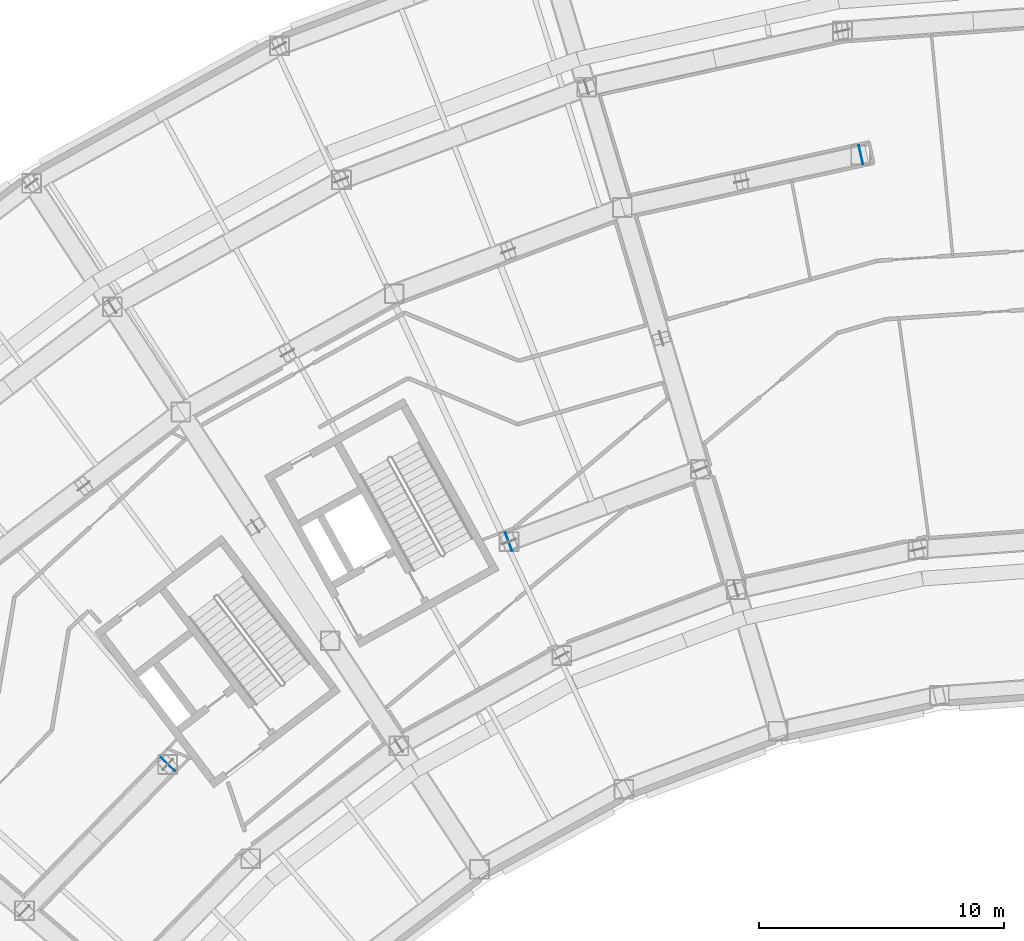
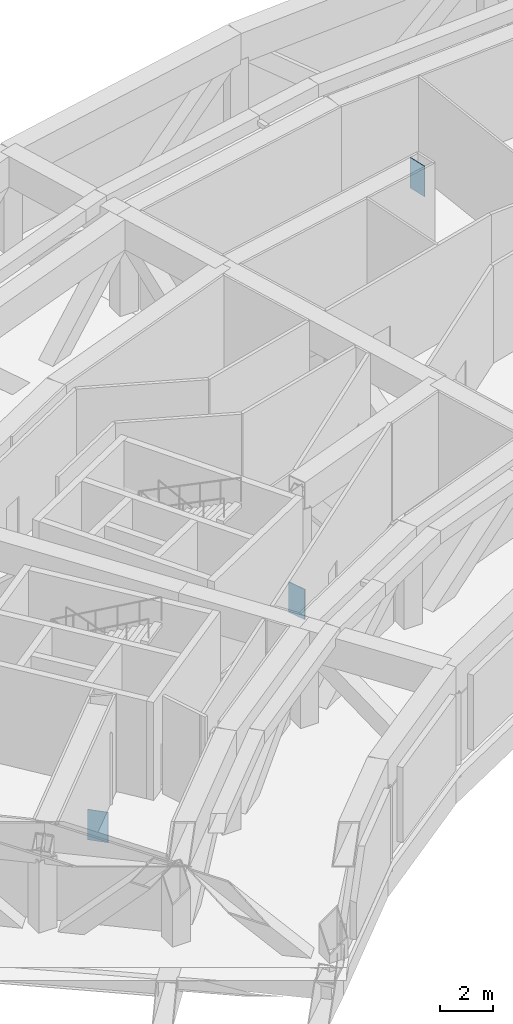
# One storey, part 17 of 30: 3 discrete accessories.
"""IFC4 building model written with IfcOpenShell, lengths in metres."""

from ifc_helpers import new_model, si_unit, direction, frame, origin, origin_2d, place, context, subcontext, project, spatial, rectangle, extrude, material, type_object, element, save


model = new_model("IFC4")

# Units and contexts
model_context = context("Model", 3, precision=1e-05, world=origin(), true_north=direction((0.0, 1.0)))
body_context = subcontext(model_context, "Body", "Model", "MODEL_VIEW")
ifc_project = project(units=[si_unit("LENGTHUNIT", "METRE"), si_unit("AREAUNIT", "SQUARE_METRE"), si_unit("VOLUMEUNIT", "CUBIC_METRE"), si_unit("PLANEANGLEUNIT", "RADIAN"), si_unit("MASSUNIT", "GRAM", prefix="KILO")], contexts=[model_context])

# Site, building, storey
site_placement = place(None, origin())
site = spatial("IfcSite", under=ifc_project, at=site_placement, CompositionType="ELEMENT")
building_placement = place(site_placement, origin())
building = spatial("IfcBuilding", under=site, at=building_placement, Name="Tuul Gate Civic Tower", CompositionType="ELEMENT")
storey_placement = place(building_placement, frame((0.0, 0.0, 26.699951171875)))
storey = spatial("IfcBuildingStorey", under=building, at=storey_placement, Name="Plant and refuge floor 1", CompositionType="ELEMENT", Elevation=26.699951171875)

# Discrete accessories
ifc_material = material(Name="Steel S355", Category="steel")
discrete_accessory_type = type_object("IfcDiscreteAccessoryType", Name="End cap plate", PredefinedType="BRACKET", material=ifc_material)
for number, where, z_axis, x_axis, name in (
    (1, (-9.897705078125, 8.0703125, 3.10009765625), (0.0, 0.0, 1.0), (0.976565152543, 0.215221985028, 0.0), "End cap plate"),
    (2, (-38.139404296875, -16.760009765625, -1.7998046875), (0.0, 0.0, 1.0), (0.700009397894, 0.714133630954, 0.0), "End cap plate"),
    (3, (-24.25, -7.690185546875, -1.7998046875), (0.0, 0.0, 1.0), (0.935378577037, 0.353648013737, 0.0), "End cap plate"),
):
    element("IfcDiscreteAccessory", number, at=place(storey_placement, frame(where, z_axis=z_axis, x_axis=x_axis)), inside=storey, type_object=discrete_accessory_type, Name=name, PredefinedType="BRACKET", context=body_context, shape_type="SweptSolid", body=[
        extrude(rectangle(XDim=0.030029296875, YDim=0.800048828125, at=origin_2d()), origin(), (0.0, 0.0, 1.0), 1.39990234375),
    ])

save(model, "model.ifc")
